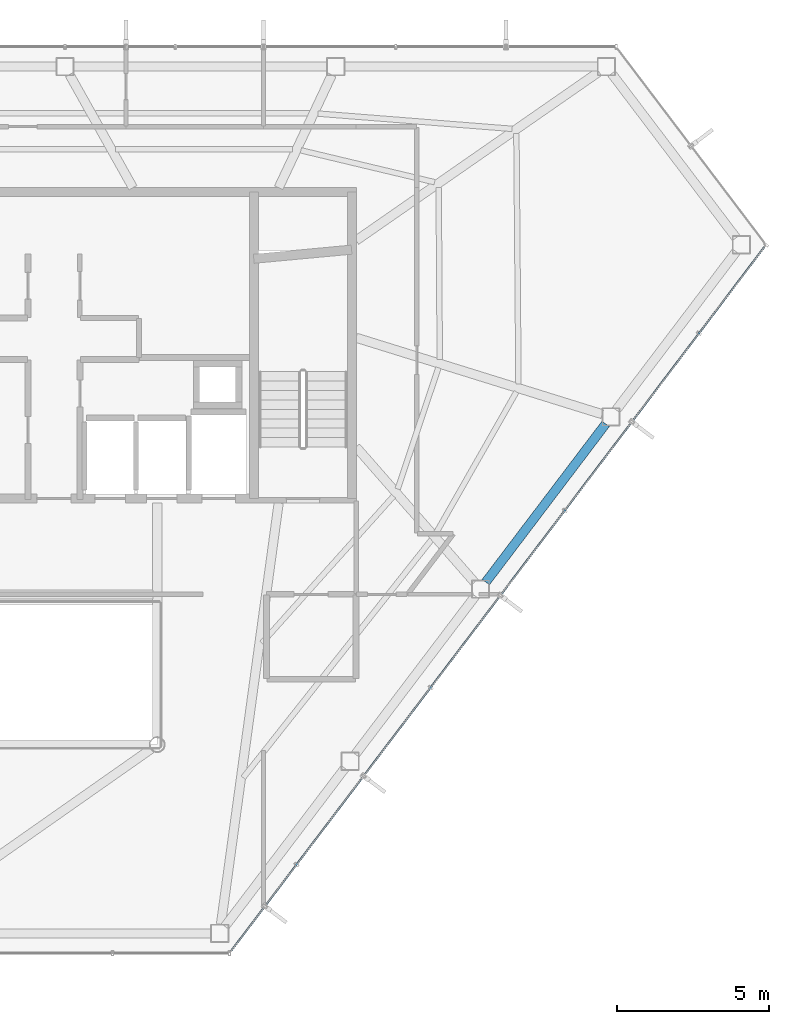
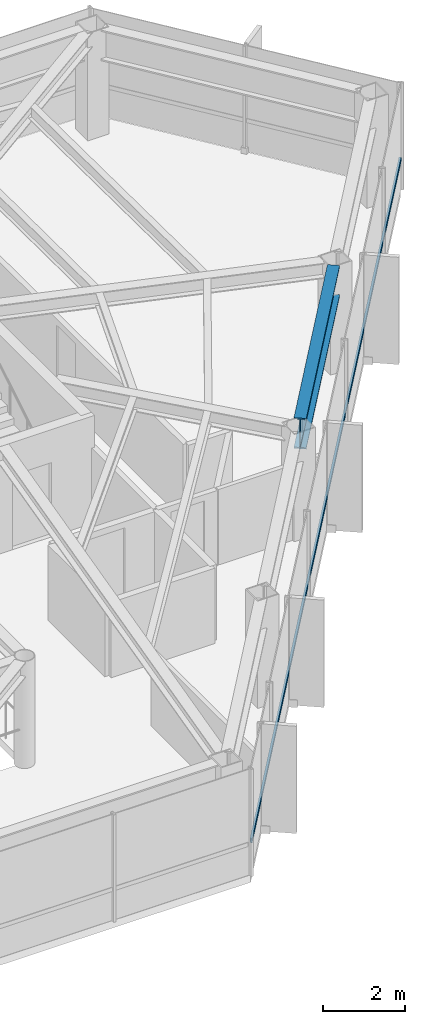
# One storey, part 18 of 27: 1 beam, 1 member, 1 element without a shape of its own.
"""IFC4 building model written with IfcOpenShell, lengths in metres."""

from ifc_helpers import new_model, si_unit, direction, frame, origin, origin_2d, place, context, subcontext, project, spatial, hollow_rectangle, i_section, extrude, material, layer, layer_set, material_profile, profile_set, type_object, element, aggregate, save


model = new_model("IFC4")

# Units and contexts
model_context = context("Model", 3, precision=1e-05, world=origin(), true_north=direction((0.0, 1.0)))
body_context = subcontext(model_context, "Body", "Model", "MODEL_VIEW")
ifc_project = project(units=[si_unit("LENGTHUNIT", "METRE"), si_unit("AREAUNIT", "SQUARE_METRE"), si_unit("VOLUMEUNIT", "CUBIC_METRE"), si_unit("PLANEANGLEUNIT", "RADIAN"), si_unit("MASSUNIT", "GRAM", prefix="KILO")], contexts=[model_context])

# Site, building, storey
site_placement = place(None, origin())
site = spatial("IfcSite", under=ifc_project, at=site_placement, CompositionType="ELEMENT")
building_placement = place(site_placement, origin())
building = spatial("IfcBuilding", under=site, at=building_placement, Name="Zarrinselat Tower", CompositionType="ELEMENT")
storey_placement = place(building_placement, frame((0.0, 0.0, 229.159912109375)))
storey = spatial("IfcBuildingStorey", under=building, at=storey_placement, Name="L57", CompositionType="ELEMENT", Elevation=229.159912109375)

# Beam
ifc_material_1 = material(Name="Steel S460M", Category="steel")
ifc_material_profile_1 = material_profile(ifc_material_1, i_section(OverallWidth=0.302001953125, OverallDepth=0.909912109375, WebThickness=0.02099609375, FlangeThickness=0.0400390625, at=origin_2d()), Name="HEM 900")
ifc_profile_set_1 = profile_set([ifc_material_profile_1], Name="Steel S460M")
beam_type = type_object("IfcBeamType", Name="BM-HEM900", PredefinedType="BEAM", material=ifc_profile_set_1)
beam_placement = place(storey_placement, frame((52.62060546875, 30.552001953125, 2.72509765625), z_axis=(0.603871350868, 0.797081797308, 0.0), x_axis=(-0.797081797308, 0.603871350868, 0.0)))
element("IfcBeam", 1, at=beam_placement, inside=storey, type_object=beam_type, Name="L57 Perimeter Spandrel Girder SP13", PredefinedType="BEAM", context=body_context, shape_type="SweptSolid", body=[
    extrude(i_section(OverallWidth=0.302001953125, OverallDepth=0.909912109375, WebThickness=0.02099609375, FlangeThickness=0.0400390625, at=origin_2d()), origin(), (0.0, 0.0, 1.0), 6.53662109375),
])

# Curtain wall, member
ifc_material_2 = material(Name="Extruded Aluminium Alloy EN AW-6063 T6", Category="aluminium")
ifc_layer = layer(ifc_material_2, 0.169921875)
ifc_layer_set = layer_set([ifc_layer], Name="Extruded Aluminium Alloy EN AW-6063 T6")
curtain_wall_type = type_object("IfcCurtainWallType", Name="CWS-RES", PredefinedType="NOTDEFINED", material=ifc_layer_set)
curtain_wall_placement = place(storey_placement, origin())
curtain_wall = element("IfcCurtainWall", 2, at=curtain_wall_placement, inside=storey, type_object=curtain_wall_type, Name="L57 Unitised Curtain Wall CW-L57-E05", PredefinedType="NOTDEFINED")
ifc_material_3 = material(Name="Extruded Aluminium Alloy EN AW-6063 T6", Category="aluminium")
ifc_material_profile_2 = material_profile(ifc_material_3, hollow_rectangle(XDim=0.06005859375, YDim=0.1201171875, WallThickness=0.00390625, at=origin_2d()), Name="RHS 120x60x4")
ifc_profile_set_2 = profile_set([ifc_material_profile_2], Name="Extruded Aluminium Alloy EN AW-6063 T6")
member_type = type_object("IfcMemberType", Name="MEM-CW-TRN2", PredefinedType="USERDEFINED", material=ifc_profile_set_2)
member_placement = place(storey_placement, frame((44.234375, 18.40576171875, 0.9501953125), z_axis=(0.603860920201, 0.797089699503, 0.0), x_axis=(-0.797089699503, 0.603860920201, 0.0)))
member = element("IfcMember", 3, at=member_placement, type_object=member_type, Name="CW-L57-E05 Transom 1", ObjectType="TRANSOM", PredefinedType="USERDEFINED", context=body_context, shape_type="SweptSolid", body=[
    extrude(hollow_rectangle(XDim=0.06005859375, YDim=0.1201171875, WallThickness=0.00390625, at=origin_2d()), origin(), (0.0, 0.0, 1.0), 29.085205078125),
])
aggregate(curtain_wall, [member])

save(model, "model.ifc")
